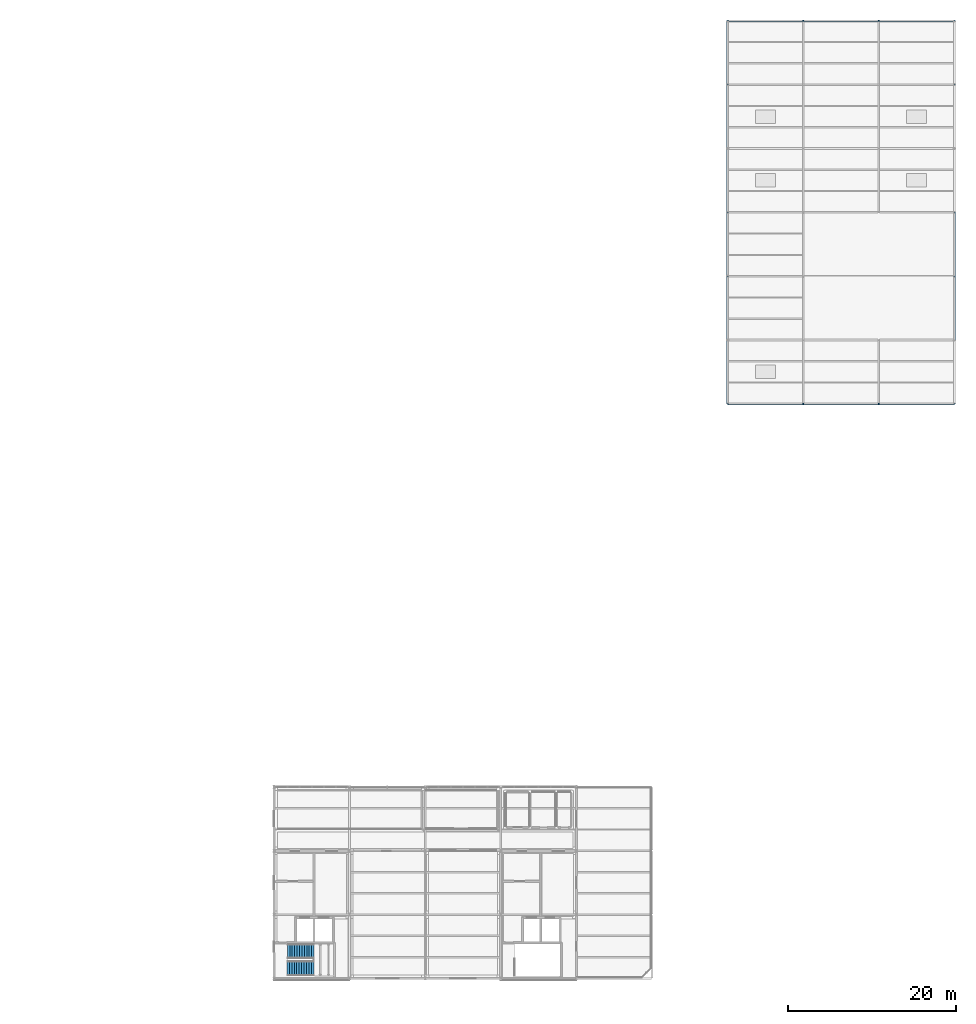
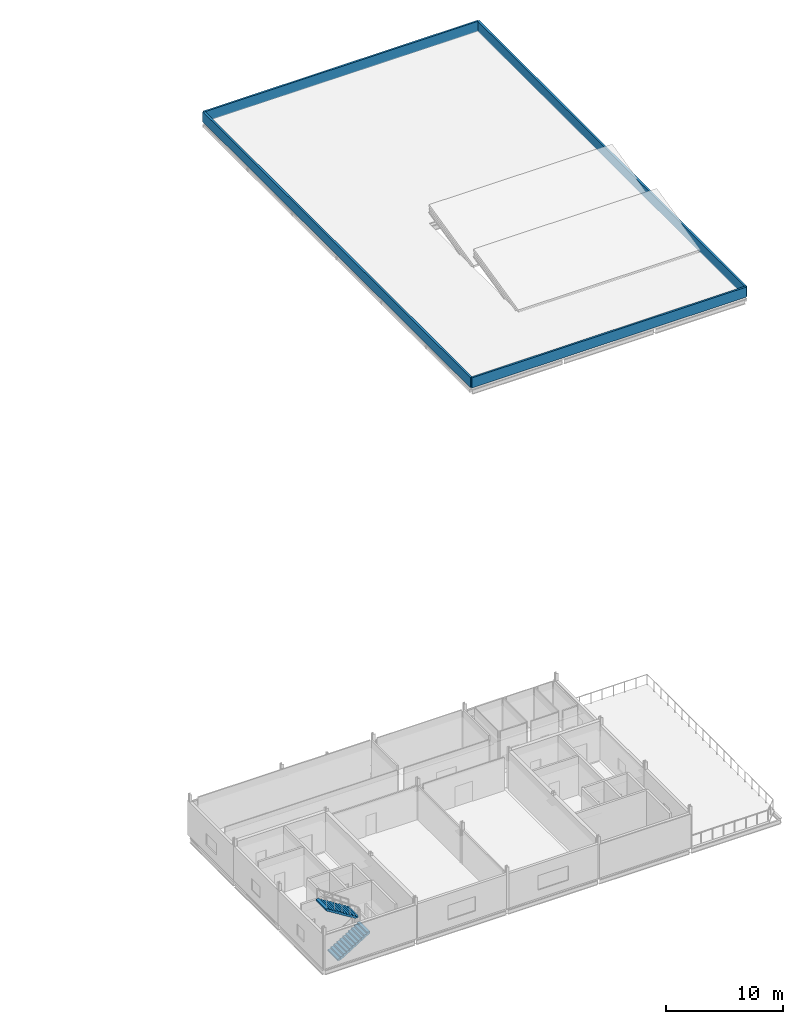
# One storey, part 22 of 24: 4 walls, 2 stair flights, 1 element without a shape of its own.
"""IFC4 building model written with IfcOpenShell, lengths in metres."""

import ifcopenshell
import ifcopenshell.guid

model = None  # the IFC model being written
_history = None  # IfcOwnerHistory: only IFC2X3 demands one
_inside = {}  # id of a spatial element -> (the spatial element, [elements in it])
_under = {}  # id of a project, library or spatial element -> (it, [spatial elements below it])
_declared = {}  # id of a project -> (the project, [libraries it declares])
_typed = {}  # id of a type object -> (the type object, [elements of that type])
_made_of = {}  # id of a material, layer set ... -> (it, [elements and type objects made of it])


def new_model(schema):
    """Start an empty IFC model of exactly this schema.

    Asked for "IFC4X3", IfcOpenShell would pick the latest addendum, in which some entities
    have other attributes; the version numbers below select the first issue.
    IFC2X3 requires an IfcOwnerHistory on every rooted entity: one is made here for all.
    """
    global model, _history
    if schema == "IFC4X3":
        model = ifcopenshell.file(schema_version=(4, 3, 0, 0))
    else:
        model = ifcopenshell.file(schema=schema)
    _inside.clear()
    _under.clear()
    _declared.clear()
    _typed.clear()
    _made_of.clear()
    _history = None
    if model.schema == "IFC2X3":
        org = make("IfcOrganization", Name="unknown")
        user = make(
            "IfcPersonAndOrganization",
            ThePerson=make("IfcPerson", FamilyName="unknown"),
            TheOrganization=org,
        )
        app = make(
            "IfcApplication",
            ApplicationDeveloper=org,
            Version="unknown",
            ApplicationFullName="unknown",
            ApplicationIdentifier="unknown",
        )
        _history = make(
            "IfcOwnerHistory",
            OwningUser=user,
            OwningApplication=app,
            ChangeAction="ADDED",
            CreationDate=0,
        )
    return model


def make(cls, **values):
    """One entity of the class cls with the attributes given. An attribute that is None is left unset."""
    return model.create_entity(
        cls, **{name: value for name, value in values.items() if value is not None}
    )


def rooted(cls, **values):
    """An entity with a GlobalId (a new one), such as an element, a storey or a relation."""
    return make(cls, GlobalId=ifcopenshell.guid.new(), OwnerHistory=_history, **values)


def si_unit(unit_type, name, prefix=None):
    """IfcSIUnit, for example si_unit("LENGTHUNIT", "METRE", prefix="MILLI")."""
    return make("IfcSIUnit", UnitType=unit_type, Prefix=prefix, Name=name)


def assignment(units):
    """IfcUnitAssignment: the units of a project."""
    return None if units is None else make("IfcUnitAssignment", Units=units)


def point(xyz):
    """IfcCartesianPoint."""
    return None if xyz is None else make("IfcCartesianPoint", Coordinates=xyz)


def direction(xyz):
    """IfcDirection."""
    return None if xyz is None else make("IfcDirection", DirectionRatios=xyz)


def frame(location, z_axis=None, x_axis=None):
    """IfcAxis2Placement3D, a coordinate frame: its origin and axes. An axis left out is left unset."""
    return make(
        "IfcAxis2Placement3D",
        Location=point(location),
        Axis=direction(z_axis),
        RefDirection=direction(x_axis),
    )


def frame_2d(location, x_axis=None):
    """IfcAxis2Placement2D, a coordinate frame in the plane: its origin and x axis."""
    return make(
        "IfcAxis2Placement2D", Location=point(location), RefDirection=direction(x_axis)
    )


def origin():
    """The frame at (0, 0, 0) with its axes left unset."""
    return frame((0.0, 0.0, 0.0))


def place(relative_to, where):
    """IfcLocalPlacement: puts the frame where relative to a parent placement (None: the world)."""
    return make(
        "IfcLocalPlacement", PlacementRelTo=relative_to, RelativePlacement=where
    )


def context(
    kind, dimensions, precision=None, world=None, true_north=None, identifier=None
):
    """IfcGeometricRepresentationContext, for example the 3D "Model" context."""
    return make(
        "IfcGeometricRepresentationContext",
        ContextIdentifier=identifier,
        ContextType=kind,
        CoordinateSpaceDimension=dimensions,
        Precision=precision,
        WorldCoordinateSystem=world,
        TrueNorth=true_north,
    )


def subcontext(parent, identifier, kind, view, scale=None):
    """IfcGeometricRepresentationSubContext, for example "Body" below "Model"."""
    return make(
        "IfcGeometricRepresentationSubContext",
        ContextIdentifier=identifier,
        ContextType=kind,
        ParentContext=parent,
        TargetScale=scale,
        TargetView=view,
    )


def project(units=None, contexts=None):
    """IfcProject with its units and contexts."""
    return rooted(
        "IfcProject",
        Name="project",
        RepresentationContexts=contexts,
        UnitsInContext=assignment(units),
    )


def spatial(cls, under=None, at=None, **own):
    """A site, building, storey or space (cls), placed at a placement, below another one or the project."""
    s = rooted(cls, ObjectPlacement=at, **own)
    if under is not None:
        _under.setdefault(under.id(), (under, []))[1].append(s)
    return s


def polyline(points):
    """IfcPolyline through the points."""
    return make("IfcPolyline", Points=[point(p) for p in points])


def profile(cls, at=None, kind="AREA", **sizes):
    """A parametric profile (cls). Its sizes go by their IFC names, for example OverallWidth=200.0."""
    return make(cls, ProfileType=kind, Position=at, **sizes)


def rectangle(**sizes):
    """IfcRectangleProfileDef."""
    return profile("IfcRectangleProfileDef", **sizes)


def outline(outer, holes=None, kind="AREA"):
    """IfcArbitraryClosedProfileDef: a profile drawn as a closed curve; with holes, ...WithVoids."""
    if holes is None:
        return make("IfcArbitraryClosedProfileDef", ProfileType=kind, OuterCurve=outer)
    return make(
        "IfcArbitraryProfileDefWithVoids",
        ProfileType=kind,
        OuterCurve=outer,
        InnerCurves=holes,
    )


def extrude(swept, where, along, depth):
    """IfcExtrudedAreaSolid: the profile swept, set in the frame where, extruded along a direction by depth."""
    return make(
        "IfcExtrudedAreaSolid",
        SweptArea=swept,
        Position=where,
        ExtrudedDirection=direction(along),
        Depth=depth,
    )


def shape(context_of_items, identifier, shape_type, items):
    """IfcShapeRepresentation: the items that make up one representation, for example the "Body"."""
    return make(
        "IfcShapeRepresentation",
        ContextOfItems=context_of_items,
        RepresentationIdentifier=identifier,
        RepresentationType=shape_type,
        Items=items,
    )


def material(Name=None, Category=None):
    """IfcMaterial."""
    return make("IfcMaterial", Name=Name, Category=Category)


def layer(
    of_material, thickness, ventilated=None, Name=None, Category=None, Priority=None
):
    """IfcMaterialLayer: one layer of a wall or slab, of a material (None: an air gap)."""
    return make(
        "IfcMaterialLayer",
        Material=of_material,
        LayerThickness=thickness,
        IsVentilated=ventilated,
        Name=Name,
        Category=Category,
        Priority=Priority,
    )


def layer_set(layers, Name=None):
    """IfcMaterialLayerSet."""
    return make("IfcMaterialLayerSet", MaterialLayers=layers, LayerSetName=Name)


def made_of(thing, what):
    """Note that an element or type object is made of a material, layer set ...; save() writes the relation."""
    if what is not None:
        _made_of.setdefault(what.id(), (what, []))[1].append(thing)
    return thing


def type_object(cls, material=None, **own):
    """A type object (cls), such as IfcWallType, which elements share."""
    return made_of(rooted(cls, **own), material)


def element(
    cls,
    number,
    at=None,
    inside=None,
    cuts=None,
    type_object=None,
    material=None,
    context=None,
    identifier="Body",
    shape_type=None,
    held_by="IfcProductDefinitionShape",
    body=None,
    shapes=None,
    **own,
):
    """One element of the class cls, such as IfcWall. Its Tag is "e" and its number.

    at: its placement. inside: the storey or other place that contains it. cuts: it is an
    opening in that element (IfcRelVoidsElement). A single representation is given by context,
    identifier, shape_type and body (its items); several are given by shapes. held_by: the class
    of the entity that holds the representations. save() writes the other relations.
    """
    e = rooted(cls, Tag="e%d" % number, ObjectPlacement=at, **own)
    if body is not None:
        shapes = [shape(context, identifier, shape_type, body)]
    if shapes is not None:
        e.Representation = make(held_by, Representations=shapes)
    if inside is not None:
        _inside.setdefault(inside.id(), (inside, []))[1].append(e)
    if cuts is not None:
        rooted(
            "IfcRelVoidsElement", RelatingBuildingElement=cuts, RelatedOpeningElement=e
        )
    if type_object is not None:
        _typed.setdefault(type_object.id(), (type_object, []))[1].append(e)
    return made_of(e, material)


def aggregate(whole, parts):
    """IfcRelAggregates: a whole, such as a stair, and the parts it consists of."""
    return rooted("IfcRelAggregates", RelatingObject=whole, RelatedObjects=parts)


def save(model, path):
    """Write the relations noted so far, then the file.

    IfcRelAggregates (storeys below a building ...), IfcRelContainedInSpatialStructure (elements
    in a storey), IfcRelDefinesByType, IfcRelAssociatesMaterial and IfcRelDeclares: one each for
    every whole, place, type object, material and project.
    """
    for whole, parts in _under.values():
        aggregate(whole, parts)
    for where, things in _inside.values():
        rooted(
            "IfcRelContainedInSpatialStructure",
            RelatedElements=things,
            RelatingStructure=where,
        )
    for kind, things in _typed.values():
        rooted("IfcRelDefinesByType", RelatedObjects=things, RelatingType=kind)
    for what, things in _made_of.values():
        rooted("IfcRelAssociatesMaterial", RelatedObjects=things, RelatingMaterial=what)
    for by, libraries in _declared.values():
        rooted("IfcRelDeclares", RelatingContext=by, RelatedDefinitions=libraries)
    model.write(path)


model = new_model("IFC4")

# Units and contexts
model_context = context("Model", 3, precision=1e-05, world=origin(), true_north=direction((0.0, 1.0)))
body_context = subcontext(model_context, "Body", "Model", "MODEL_VIEW")
ifc_project = project(units=[si_unit("LENGTHUNIT", "METRE"), si_unit("AREAUNIT", "SQUARE_METRE"), si_unit("VOLUMEUNIT", "CUBIC_METRE"), si_unit("PLANEANGLEUNIT", "RADIAN"), si_unit("MASSUNIT", "GRAM", prefix="KILO")], contexts=[model_context])

# Site, building, storey
site_placement = place(None, origin())
site = spatial("IfcSite", under=ifc_project, at=site_placement, CompositionType="ELEMENT")
building_placement = place(site_placement, origin())
building = spatial("IfcBuilding", under=site, at=building_placement, Name="Caisbarro Railhouse Central Library", CompositionType="ELEMENT")
storey_placement = place(building_placement, frame((0.0, 0.0, 22.320068359375)))
storey = spatial("IfcBuildingStorey", under=building, at=storey_placement, Name="L05", CompositionType="ELEMENT", Elevation=22.320068359375)

# Walls
ifc_material = material(Name="Concrete C35", Category="concrete")
ifc_layer_1 = layer(ifc_material, 0.179931640625, Name="Concrete C35")
ifc_layer_set_1 = layer_set([ifc_layer_1], Name="Concrete C35")
wall_type_1 = type_object("IfcWallType", Name="WAL-WP18", PredefinedType="PARAPET", material=ifc_layer_set_1)
for number, where, z_axis, x_axis, name in (
    (1, (117.0, 68.39990234375, 0.0), (0.0, 0.0, 1.0), (1.0, 0.0, 0.0), "WP18 roof parapet L05-5"),
    (2, (144.0, 114.0, 0.0), (0.0, 0.0, 1.0), (-1.0, 0.0, 0.0), "WP18 roof parapet L05-7"),
):
    element("IfcWall", number, at=place(storey_placement, frame(where, z_axis=z_axis, x_axis=x_axis)), inside=storey, type_object=wall_type_1, Name=name, PredefinedType="PARAPET", context=body_context, shape_type="SweptSolid", body=[
        extrude(rectangle(XDim=27.0, YDim=0.179931640625, at=frame_2d((13.5, 0.0))), origin(), (0.0, 0.0, 1.0), 1.050048828125),
    ])
ifc_layer_2 = layer(ifc_material, 0.199951171875, Name="Concrete C35")
ifc_layer_set_2 = layer_set([ifc_layer_2], Name="Concrete C35")
wall_type_2 = type_object("IfcWallType", Name="WAL-WP20", PredefinedType="PARAPET", material=ifc_layer_set_2)
for number, where, z_axis, x_axis, name in (
    (3, (144.0, 68.39990234375, 0.0), (0.0, 0.0, 1.0), (0.0, 1.0, 0.0), "WP20 roof parapet L05-6"),
    (4, (117.0, 114.0, 0.0), (0.0, 0.0, 1.0), (0.0, -1.0, 0.0), "WP20 roof parapet L05-8"),
):
    element("IfcWall", number, at=place(storey_placement, frame(where, z_axis=z_axis, x_axis=x_axis)), inside=storey, type_object=wall_type_2, Name=name, PredefinedType="PARAPET", context=body_context, shape_type="SweptSolid", body=[
        extrude(rectangle(XDim=45.60009765625, YDim=0.199951171875, at=frame_2d((22.800048828125, 0.0))), origin(), (0.0, 0.0, 1.0), 1.050048828125),
    ])

# Stair, stair flights
stair_type = type_object("IfcStairType", Name="STR-ST43B", PredefinedType="HALF_TURN_STAIR", material=ifc_material)
stair_placement = place(storey_placement, origin())
stair = element("IfcStair", 5, at=stair_placement, inside=storey, type_object=stair_type, Name="Protected Stair ST-01 (L05)", PredefinedType="HALF_TURN_STAIR")
stair_flight_type = type_object("IfcStairFlightType", Name="STF-ST43B", PredefinedType="STRAIGHT", material=ifc_material)
stair_flight_1_placement = place(storey_placement, frame((64.550048828125, 1.199951171875, 0.0), z_axis=(0.0, 0.0, 1.0), x_axis=(1.0, 0.0, 0.0)))
stair_flight_1 = element("IfcStairFlight", 6, at=stair_flight_1_placement, type_object=stair_flight_type, Name="ST-01 flight 1", NumberOfRisers=12, NumberOfTreads=11, PredefinedType="STRAIGHT", RiserHeight=0.18, TreadLength=0.29, context=body_context, shape_type="SweptSolid", body=[
    extrude(outline(polyline([(0.0, 0.0), (0.0, 0.179931640625), (0.2900390625, 0.179931640625), (0.2900390625, 0.360107421875), (0.580078125, 0.360107421875), (0.580078125, 0.5400390625), (0.8701171875, 0.5400390625), (0.8701171875, 0.719970703125), (1.159912109375, 0.719970703125), (1.159912109375, 0.89990234375), (1.449951171875, 0.89990234375), (1.449951171875, 1.080078125), (1.739990234375, 1.080078125), (1.739990234375, 1.260009765625), (2.030029296875, 1.260009765625), (2.030029296875, 1.43994140625), (2.320068359375, 1.43994140625), (2.320068359375, 1.6201171875), (2.610107421875, 1.6201171875), (2.610107421875, 1.800048828125), (2.89990234375, 1.800048828125), (2.89990234375, 1.97998046875), (3.18994140625, 1.97998046875), (3.18994140625, 2.159912109375), (3.18994140625, 1.791748046875), (0.30322265625, 0.0), (0.0, 0.0)])), frame((0.0, 0.85986328125, 0.0), z_axis=(0.0, -1.0, 0.0), x_axis=(1.0, 0.0, 0.0)), (0.0, 0.0, 1.0), 1.719970703125),
])
stair_flight_2_placement = place(storey_placement, frame((67.780029296875, 3.25, 2.159912109375), z_axis=(0.0, 0.0, 1.0), x_axis=(-1.0, 0.0, 0.0)))
stair_flight_2 = element("IfcStairFlight", 7, at=stair_flight_2_placement, type_object=stair_flight_type, Name="ST-01 flight 2", NumberOfRisers=12, NumberOfTreads=11, PredefinedType="STRAIGHT", RiserHeight=0.18, TreadLength=0.29, context=body_context, shape_type="SweptSolid", body=[
    extrude(outline(polyline([(0.0, 0.0), (0.0, 0.179931640625), (0.2900390625, 0.179931640625), (0.2900390625, 0.360107421875), (0.580078125, 0.360107421875), (0.580078125, 0.5400390625), (0.8701171875, 0.5400390625), (0.8701171875, 0.719970703125), (1.159912109375, 0.719970703125), (1.159912109375, 0.89990234375), (1.449951171875, 0.89990234375), (1.449951171875, 1.080078125), (1.739990234375, 1.080078125), (1.739990234375, 1.260009765625), (2.030029296875, 1.260009765625), (2.030029296875, 1.43994140625), (2.320068359375, 1.43994140625), (2.320068359375, 1.6201171875), (2.610107421875, 1.6201171875), (2.610107421875, 1.800048828125), (2.89990234375, 1.800048828125), (2.89990234375, 1.97998046875), (3.18994140625, 1.97998046875), (3.18994140625, 2.159912109375), (3.18994140625, 1.791748046875), (0.30322265625, 0.0), (0.0, 0.0)])), frame((0.0, 0.85986328125, 0.0), z_axis=(0.0, -1.0, 0.0), x_axis=(1.0, 0.0, 0.0)), (0.0, 0.0, 1.0), 1.719970703125),
])
aggregate(stair, [stair_flight_1, stair_flight_2])

save(model, "model.ifc")
